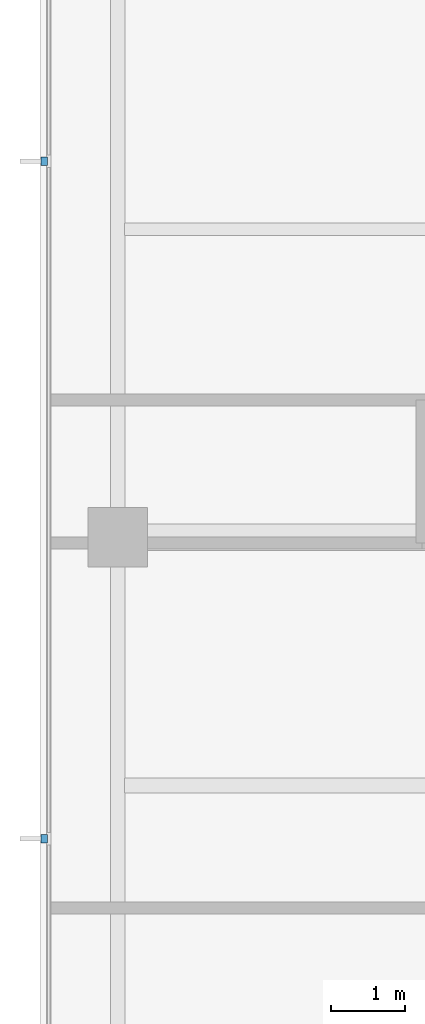
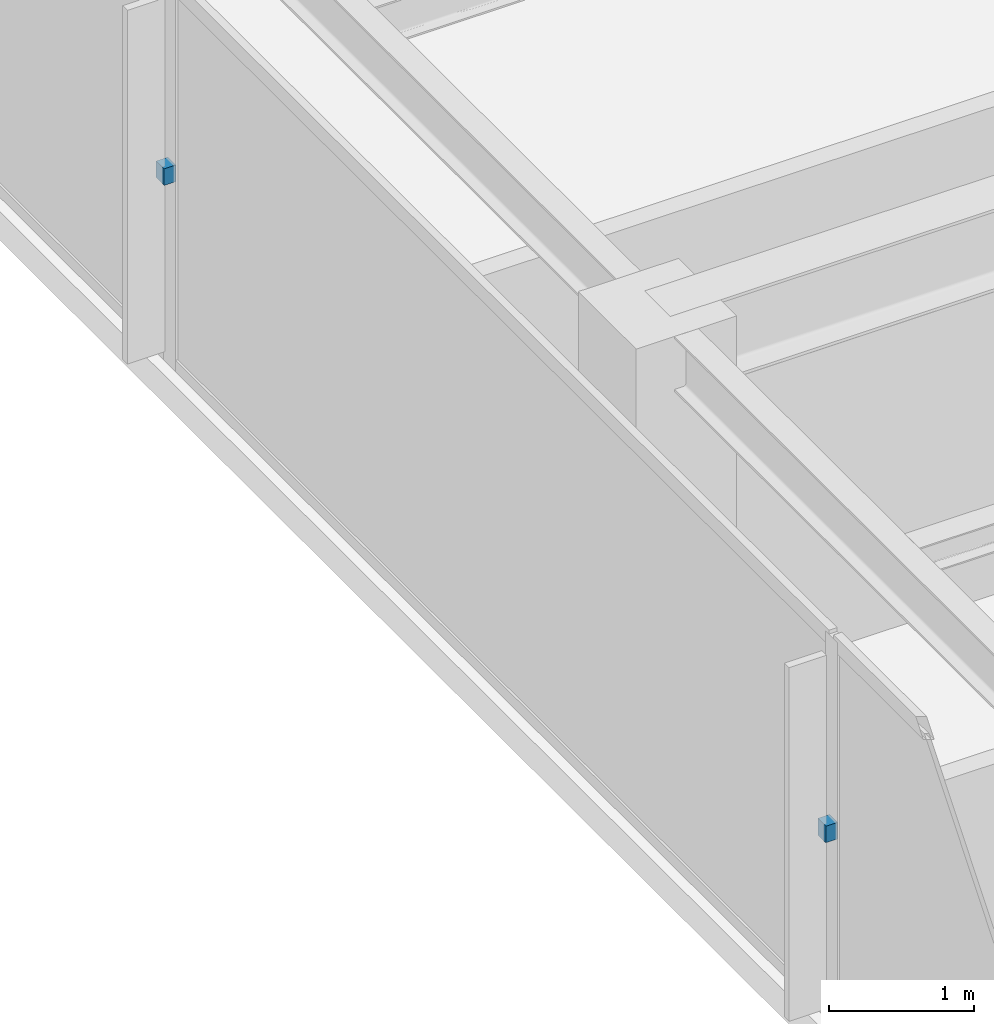
# One storey, part 9 of 11: 2 discrete accessories.
"""IFC4 building model written with IfcOpenShell, lengths in metres."""

from ifc_helpers import new_model, si_unit, direction, frame, origin, place, context, subcontext, project, spatial, polyline, outline, extrude, material, type_object, element, save


model = new_model("IFC4")

# Units and contexts
model_context = context("Model", 3, precision=1e-05, world=origin(), true_north=direction((0.0, 1.0)))
body_context = subcontext(model_context, "Body", "Model", "MODEL_VIEW")
ifc_project = project(units=[si_unit("LENGTHUNIT", "METRE"), si_unit("AREAUNIT", "SQUARE_METRE"), si_unit("VOLUMEUNIT", "CUBIC_METRE"), si_unit("PLANEANGLEUNIT", "RADIAN"), si_unit("MASSUNIT", "GRAM", prefix="KILO")], contexts=[model_context])

# Site, building, storey
site_placement = place(None, origin())
site = spatial("IfcSite", under=ifc_project, at=site_placement, CompositionType="ELEMENT")
building_placement = place(site_placement, origin())
building = spatial("IfcBuilding", under=site, at=building_placement, Name="Qalmaran Belvedere Hotel", CompositionType="ELEMENT")
storey_placement = place(building_placement, frame((0.0, 0.0, 259.89990234375)))
storey = spatial("IfcBuildingStorey", under=building, at=storey_placement, Name="L67", CompositionType="ELEMENT", Elevation=259.89990234375)

# Discrete accessories
ifc_material = material(Name="Stainless Steel 1.4401", Category="steel")
discrete_accessory_type = type_object("IfcDiscreteAccessoryType", Name="BRK-FIN-SS316", PredefinedType="BRACKET", material=ifc_material)
discrete_accessory_1_placement = place(storey_placement, frame((0.0, 0.0, 1.580078125)))
element("IfcDiscreteAccessory", 1, at=discrete_accessory_1_placement, inside=storey, type_object=discrete_accessory_type, Name="L67 Fin Bracket 1", PredefinedType="BRACKET", context=body_context, shape_type="SweptSolid", body=[
    extrude(outline(polyline([(11.455078125, 25.62158203125), (11.362548828125, 25.62158203125), (11.362548828125, 25.51171875), (11.455078125, 25.51171875), (11.455078125, 25.62158203125)])), origin(), (0.0, 0.0, 1.0), 0.14013671875),
])
discrete_accessory_2_placement = place(storey_placement, frame((0.0, 0.0, 1.580078125)))
element("IfcDiscreteAccessory", 2, at=discrete_accessory_2_placement, inside=storey, type_object=discrete_accessory_type, Name="L67 Fin Bracket 2", PredefinedType="BRACKET", context=body_context, shape_type="SweptSolid", body=[
    extrude(outline(polyline([(11.455078125, 16.48828125), (11.362548828125, 16.48828125), (11.362548828125, 16.37841796875), (11.455078125, 16.37841796875), (11.455078125, 16.48828125)])), origin(), (0.0, 0.0, 1.0), 0.14013671875),
])

save(model, "model.ifc")
